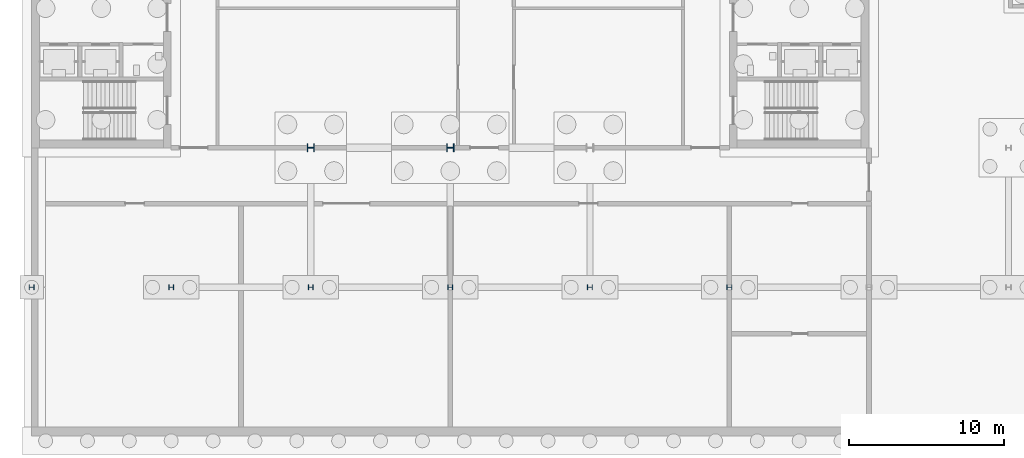
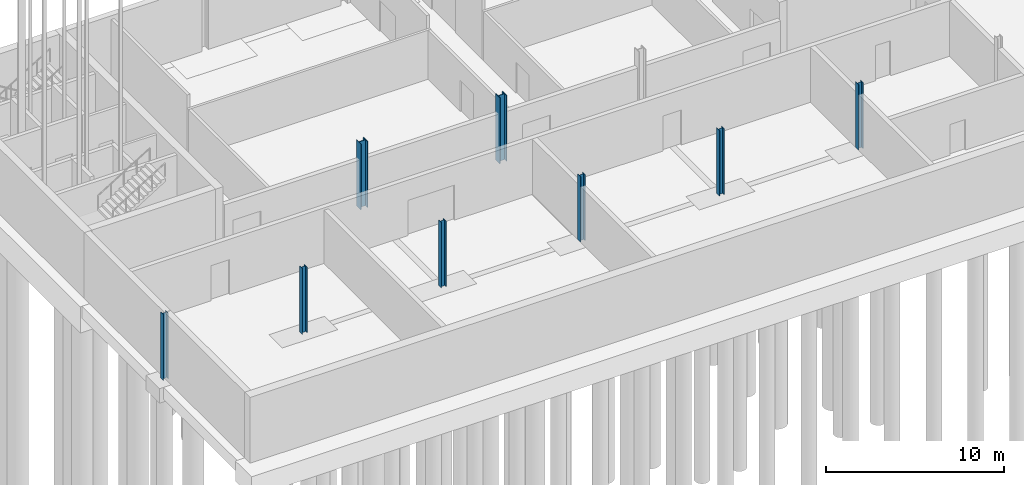
# One storey, part 4 of 41: 8 columns.
"""IFC4 building model written with IfcOpenShell, lengths in metres."""

from ifc_helpers import new_model, si_unit, direction, frame, origin, origin_2d, place, context, subcontext, project, spatial, i_section, extrude, material, material_profile, profile_set, type_object, element, save


model = new_model("IFC4")

# Units and contexts
model_context = context("Model", 3, precision=1e-05, world=origin(), true_north=direction((0.0, 1.0)))
body_context = subcontext(model_context, "Body", "Model", "MODEL_VIEW")
ifc_project = project(units=[si_unit("LENGTHUNIT", "METRE"), si_unit("AREAUNIT", "SQUARE_METRE"), si_unit("VOLUMEUNIT", "CUBIC_METRE"), si_unit("PLANEANGLEUNIT", "RADIAN"), si_unit("MASSUNIT", "GRAM", prefix="KILO")], contexts=[model_context])

# Site, building, storey
site_placement = place(None, origin())
site = spatial("IfcSite", under=ifc_project, at=site_placement, CompositionType="ELEMENT")
building_placement = place(site_placement, origin())
building = spatial("IfcBuilding", under=site, at=building_placement, Name="Corbel Yard City Hall", CompositionType="ELEMENT")
storey_placement = place(building_placement, frame((0.0, 0.0, -4.5)))
storey = spatial("IfcBuildingStorey", under=building, at=storey_placement, Name="B1", CompositionType="ELEMENT", Elevation=-4.5)

# Columns
ifc_material_1 = material(Name="Steel Grade 300 (300 MPa yield)", Category="steel")
ifc_material_profile_1 = material_profile(ifc_material_1, i_section(OverallWidth=0.31103515625, OverallDepth=0.326904296875, WebThickness=0.015625, FlangeThickness=0.02490234375, at=origin_2d()), Name="310UC158")
ifc_profile_set_1 = profile_set([ifc_material_profile_1], Name="Steel Grade 300 (300 MPa yield)")
column_type_1 = type_object("IfcColumnType", Name="Column 310UC158", PredefinedType="COLUMN", material=ifc_profile_set_1)
for number, where, z_axis, x_axis, name in (
    (1, (0.0, 90.0, 0.0), (0.0, 0.0, 1.0), (0.0, 1.0, 0.0), "Column 310UC158 K/1 B1"),
    (2, (9.0, 90.0, 0.0), (0.0, 0.0, 1.0), (0.0, 1.0, 0.0), "Column 310UC158 K/2 B1"),
    (3, (18.0, 90.0, 0.0), (0.0, 0.0, 1.0), (0.0, 1.0, 0.0), "Column 310UC158 K/3 B1"),
    (4, (27.0, 90.0, 0.0), (0.0, 0.0, 1.0), (0.0, 1.0, 0.0), "Column 310UC158 K/4 B1"),
    (5, (36.0, 90.0, 0.0), (0.0, 0.0, 1.0), (0.0, 1.0, 0.0), "Column 310UC158 K/5 B1"),
    (6, (45.0, 90.0, 0.0), (0.0, 0.0, 1.0), (0.0, 1.0, 0.0), "Column 310UC158 K/6 B1"),
):
    element("IfcColumn", number, at=place(storey_placement, frame(where, z_axis=z_axis, x_axis=x_axis)), inside=storey, type_object=column_type_1, Name=name, PredefinedType="COLUMN", context=body_context, shape_type="SweptSolid", body=[
        extrude(i_section(OverallWidth=0.31103515625, OverallDepth=0.326904296875, WebThickness=0.015625, FlangeThickness=0.02490234375, at=origin_2d()), origin(), (0.0, 0.0, 1.0), 4.5),
    ])
ifc_material_2 = material(Name="Steel Grade 350", Category="steel")
ifc_material_profile_2 = material_profile(ifc_material_2, i_section(OverallWidth=0.5, OverallDepth=0.47998046875, WebThickness=0.0400390625, FlangeThickness=0.0400390625, at=origin_2d()), Name="500WC440")
ifc_profile_set_2 = profile_set([ifc_material_profile_2], Name="Steel Grade 350")
column_type_2 = type_object("IfcColumnType", Name="Column 500WC440", PredefinedType="COLUMN", material=ifc_profile_set_2)
for number, where, z_axis, x_axis, name in (
    (7, (18.0, 99.0, 0.0), (0.0, 0.0, 1.0), (0.0, 1.0, 0.0), "Column 500WC440 L/3 B1"),
    (8, (27.0, 99.0, 0.0), (0.0, 0.0, 1.0), (0.0, 1.0, 0.0), "Column 500WC440 L/4 B1"),
):
    element("IfcColumn", number, at=place(storey_placement, frame(where, z_axis=z_axis, x_axis=x_axis)), inside=storey, type_object=column_type_2, Name=name, PredefinedType="COLUMN", context=body_context, shape_type="SweptSolid", body=[
        extrude(i_section(OverallWidth=0.5, OverallDepth=0.47998046875, WebThickness=0.0400390625, FlangeThickness=0.0400390625, at=origin_2d()), origin(), (0.0, 0.0, 1.0), 4.5),
    ])

save(model, "model.ifc")
